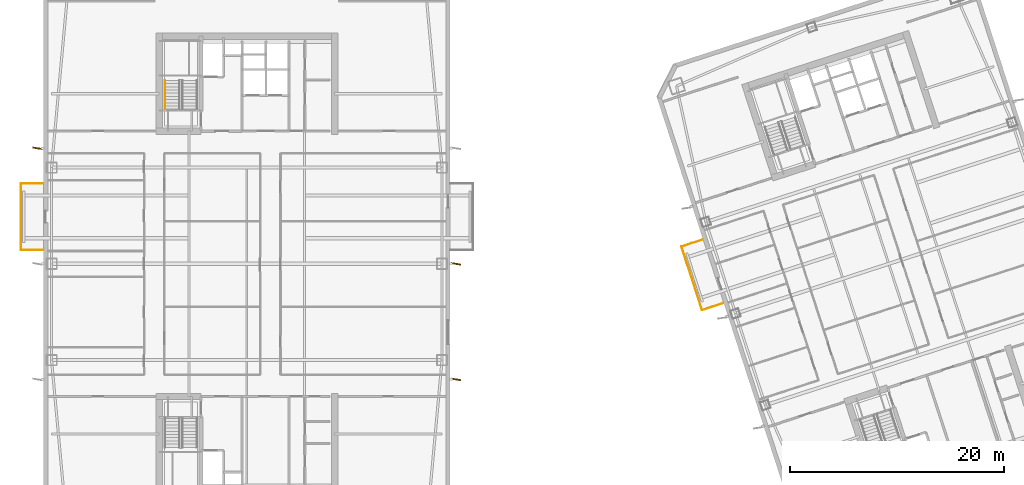
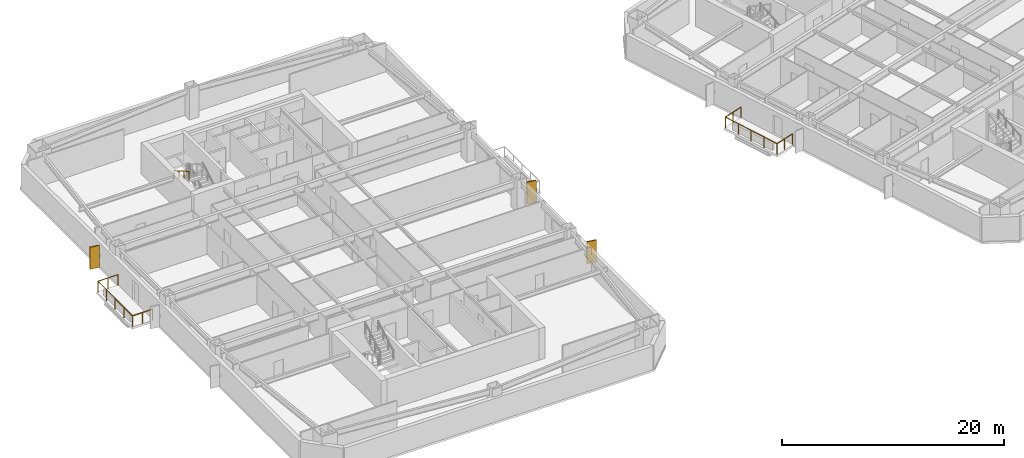
# One storey, part 14 of 17: 3 railings, 3 shading devices.
"""IFC4 building model written with IfcOpenShell, lengths in metres."""

from ifc_helpers import new_model, si_unit, direction, frame, origin, origin_2d, place, context, subcontext, project, spatial, rectangle, circle, extrude, material, layer, layer_set, type_object, element, save


model = new_model("IFC4")

# Units and contexts
model_context = context("Model", 3, precision=1e-05, world=origin(), true_north=direction((0.0, 1.0)))
body_context = subcontext(model_context, "Body", "Model", "MODEL_VIEW")
ifc_project = project(units=[si_unit("LENGTHUNIT", "METRE"), si_unit("AREAUNIT", "SQUARE_METRE"), si_unit("VOLUMEUNIT", "CUBIC_METRE"), si_unit("PLANEANGLEUNIT", "RADIAN"), si_unit("MASSUNIT", "GRAM", prefix="KILO")], contexts=[model_context])

# Site, building, storey
site_placement = place(None, origin())
site = spatial("IfcSite", under=ifc_project, at=site_placement, CompositionType="ELEMENT")
building_placement = place(site_placement, origin())
building = spatial("IfcBuilding", under=site, at=building_placement, Name="Qiaolan Cultural Towers", CompositionType="ELEMENT")
storey_placement = place(building_placement, frame((0.0, 0.0, 142.60009765625)))
storey = spatial("IfcBuildingStorey", under=building, at=storey_placement, Name="L37", CompositionType="ELEMENT", Elevation=142.60009765625)

# Railings
ifc_material_1 = material(Name="Laminated SentryGlas & Stainless Steel S31608 Balustrade", Category="steel")
railing_type_1 = type_object("IfcRailingType", Name="GRD-TERR-1200", PredefinedType="BALUSTRADE", material=ifc_material_1)
railing_1_placement = place(storey_placement, frame((10.949951171875, 35.280029296875, 0.0)))
element("IfcRailing", 1, at=railing_1_placement, inside=storey, type_object=railing_type_1, Name="L37 T1 Tree Balcony Guardrail W", PredefinedType="BALUSTRADE", context=body_context, shape_type="SweptSolid", body=[
    extrude(circle(Radius=0.02392578125, at=origin_2d()), frame((0.0, 0.0, 1.17578125), z_axis=(-1.0, 0.0, 0.0), x_axis=(0.0, -1.0, 0.0)), (0.0, 0.0, 1.0), 2.070068359375),
    extrude(circle(Radius=0.02392578125, at=origin_2d()), frame((-2.070068359375, 0.0, 1.17578125), z_axis=(0.0, 1.0, 0.0), x_axis=(-1.0, 0.0, 0.0)), (0.0, 0.0, 1.0), 6.239990234375),
    extrude(circle(Radius=0.02392578125, at=origin_2d()), frame((-2.070068359375, 6.239990234375, 1.17578125), z_axis=(1.0, 0.0, 0.0), x_axis=(0.0, 1.0, 0.0)), (0.0, 0.0, 1.0), 2.070068359375),
    extrude(circle(Radius=0.02099609375, at=origin_2d()), origin(), (0.0, 0.0, 1.0), 1.15185546875),
    extrude(circle(Radius=0.02099609375, at=origin_2d()), frame((-1.03515625, 0.0, 0.0)), (0.0, 0.0, 1.0), 1.15185546875),
    extrude(circle(Radius=0.02099609375, at=origin_2d()), frame((-2.070068359375, 0.0, 0.0)), (0.0, 0.0, 1.0), 1.15185546875),
    extrude(circle(Radius=0.02099609375, at=origin_2d()), frame((-2.070068359375, 1.56005859375, 0.0)), (0.0, 0.0, 1.0), 1.15185546875),
    extrude(circle(Radius=0.02099609375, at=origin_2d()), frame((-2.070068359375, 3.1201171875, 0.0)), (0.0, 0.0, 1.0), 1.15185546875),
    extrude(circle(Radius=0.02099609375, at=origin_2d()), frame((-2.070068359375, 4.679931640625, 0.0)), (0.0, 0.0, 1.0), 1.15185546875),
    extrude(circle(Radius=0.02099609375, at=origin_2d()), frame((-2.070068359375, 6.239990234375, 0.0)), (0.0, 0.0, 1.0), 1.15185546875),
    extrude(circle(Radius=0.02099609375, at=origin_2d()), frame((-1.03515625, 6.239990234375, 0.0)), (0.0, 0.0, 1.0), 1.15185546875),
    extrude(circle(Radius=0.02099609375, at=origin_2d()), frame((0.0, 6.239990234375, 0.0)), (0.0, 0.0, 1.0), 1.15185546875),
])
railing_2_placement = place(storey_placement, frame((74.5302734375, 30.3193359375, 0.0)))
element("IfcRailing", 2, at=railing_2_placement, inside=storey, type_object=railing_type_1, Name="L37 T2 Tree Balcony Guardrail W", PredefinedType="BALUSTRADE", context=body_context, shape_type="SweptSolid", body=[
    extrude(circle(Radius=0.02392578125, at=origin_2d()), frame((0.0, 0.0, 1.17578125), z_axis=(-0.951061799618, -0.309000733507, 0.0), x_axis=(0.309000733507, -0.951061799618, 0.0)), (0.0, 0.0, 1.0), 2.070068359375),
    extrude(circle(Radius=0.02392578125, at=origin_2d()), frame((-1.96875, -0.6396484375, 1.17578125), z_axis=(-0.30901175762, 0.951058217804, 0.0), x_axis=(-0.951058217804, -0.30901175762, 0.0)), (0.0, 0.0, 1.0), 6.239990234375),
    extrude(circle(Radius=0.02392578125, at=origin_2d()), frame((-3.89697265625, 5.294921875, 1.17578125), z_axis=(0.951061799618, 0.309000733507, 0.0), x_axis=(-0.309000733507, 0.951061799618, 0.0)), (0.0, 0.0, 1.0), 2.070068359375),
    extrude(circle(Radius=0.02099609375, at=origin_2d()), origin(), (0.0, 0.0, 1.0), 1.15185546875),
    extrude(circle(Radius=0.02099609375, at=origin_2d()), frame((-0.984375, -0.31982421875, 0.0)), (0.0, 0.0, 1.0), 1.15185546875),
    extrude(circle(Radius=0.02099609375, at=origin_2d()), frame((-1.96875, -0.6396484375, 0.0)), (0.0, 0.0, 1.0), 1.15185546875),
    extrude(circle(Radius=0.02099609375, at=origin_2d()), frame((-2.45068359375, 0.843994140625, 0.0)), (0.0, 0.0, 1.0), 1.15185546875),
    extrude(circle(Radius=0.02099609375, at=origin_2d()), frame((-2.932861328125, 2.32763671875, 0.0)), (0.0, 0.0, 1.0), 1.15185546875),
    extrude(circle(Radius=0.02099609375, at=origin_2d()), frame((-3.4150390625, 3.811279296875, 0.0)), (0.0, 0.0, 1.0), 1.15185546875),
    extrude(circle(Radius=0.02099609375, at=origin_2d()), frame((-3.89697265625, 5.294921875, 0.0)), (0.0, 0.0, 1.0), 1.15185546875),
    extrude(circle(Radius=0.02099609375, at=origin_2d()), frame((-2.91259765625, 5.61474609375, 0.0)), (0.0, 0.0, 1.0), 1.15185546875),
    extrude(circle(Radius=0.02099609375, at=origin_2d()), frame((-1.92822265625, 5.9345703125, 0.0)), (0.0, 0.0, 1.0), 1.15185546875),
])
ifc_material_2 = material(Name="Stainless Steel S30408 Tubular Handrail", Category="steel")
railing_type_2 = type_object("IfcRailingType", Name="RL-STAIR-HR", PredefinedType="HANDRAIL", material=ifc_material_2)
railing_3_placement = place(storey_placement, frame((22.35009765625, 51.14990234375, 1.8974609375)))
element("IfcRailing", 3, at=railing_3_placement, inside=storey, type_object=railing_type_2, Name="L37 ST-W2 stair handrail 2", PredefinedType="HANDRAIL", context=body_context, shape_type="SweptSolid", body=[
    extrude(circle(Radius=0.02392578125, at=origin_2d()), frame((0.0, 0.0, 0.8759765625), z_axis=(0.0, -0.866903762492, 0.498475542607), x_axis=(1.0, 0.0, 0.0)), (0.0, 0.0, 1.0), 3.114501953125),
    extrude(circle(Radius=0.02099609375, at=origin_2d()), origin(), (0.0, 0.0, 1.0), 0.851806640625),
    extrude(circle(Radius=0.02099609375, at=origin_2d()), frame((0.0, -0.89990234375, 0.517578125)), (0.0, 0.0, 1.0), 0.851806640625),
    extrude(circle(Radius=0.02099609375, at=origin_2d()), frame((0.0, -1.800048828125, 1.034912109375)), (0.0, 0.0, 1.0), 0.851806640625),
    extrude(circle(Radius=0.02099609375, at=origin_2d()), frame((0.0, -2.699951171875, 1.552490234375)), (0.0, 0.0, 1.0), 0.851806640625),
])

# Shading devices
ifc_material_3 = material(Name="Pierced Warm Terracotta Acoustic Fin", Category="masonry")
ifc_layer = layer(ifc_material_3, 0.1201171875)
ifc_layer_set = layer_set([ifc_layer], Name="Pierced Warm Terracotta Acoustic Fin")
shading_device_type = type_object("IfcShadingDeviceType", Name="SHD-FIN-PIERCED", PredefinedType="USERDEFINED", material=ifc_layer_set)
for number, where, z_axis, x_axis, name in (
    (4, (10.43994140625, 44.800048828125, 0.10009765625), (0.0, 0.0, 1.0), (0.98587406802, -0.167488274236, 0.0), "L37 T1 Expressive Precast Vertical Fin W3"),
    (5, (49.56005859375, 23.199951171875, 0.10009765625), (0.0, 0.0, 1.0), (0.98587406802, -0.167488274236, 0.0), "L37 T1 Expressive Precast Vertical Fin E1"),
    (6, (49.56005859375, 34.0, 0.10009765625), (0.0, 0.0, 1.0), (0.98587406802, -0.167488274236, 0.0), "L37 T1 Expressive Precast Vertical Fin E2"),
):
    element("IfcShadingDevice", number, at=place(storey_placement, frame(where, z_axis=z_axis, x_axis=x_axis)), inside=storey, type_object=shading_device_type, Name=name, ObjectType="FIN", PredefinedType="USERDEFINED", context=body_context, shape_type="SweptSolid", body=[
        extrude(rectangle(XDim=0.89990234375, YDim=0.1201171875, at=origin_2d()), origin(), (0.0, 0.0, 1.0), 2.409912109375),
    ])

save(model, "model.ifc")
